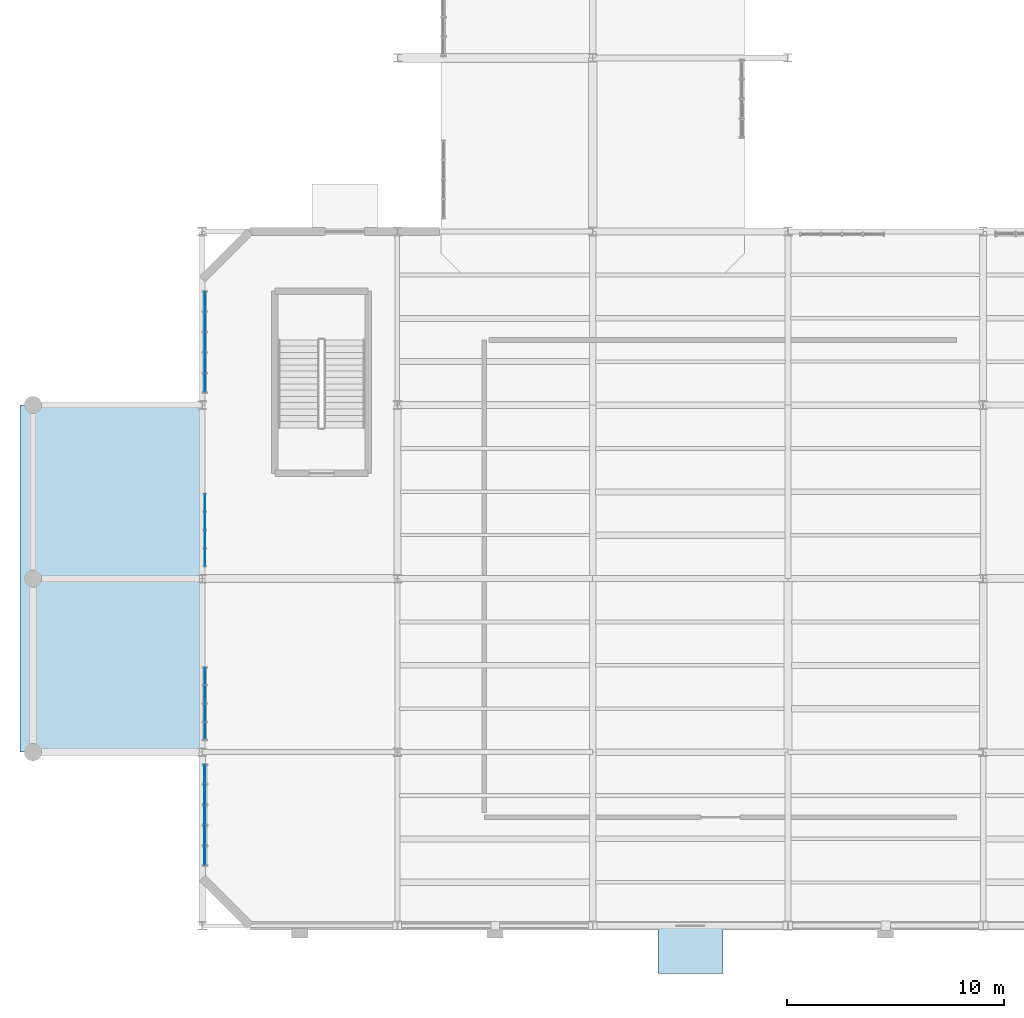
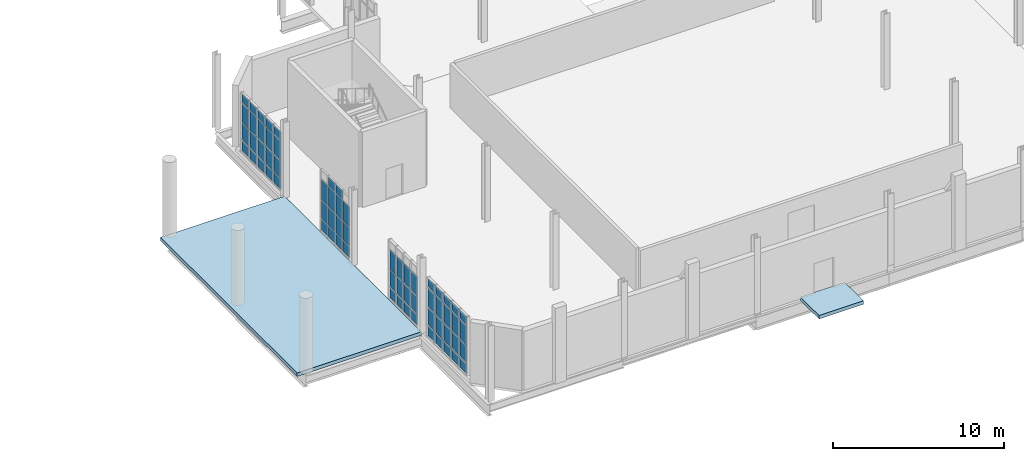
# One storey, part 141 of 189: 66 plates, 2 slabs, 4 elements without a shape of their own.
"""IFC4 building model written with IfcOpenShell, lengths in metres."""

from ifc_helpers import new_model, si_unit, direction, frame, origin, origin_2d, place, context, subcontext, project, spatial, polyline, rectangle, outline, extrude, material, layer, layer_set, type_object, element, aggregate, save


model = new_model("IFC4")

# Units and contexts
model_context = context("Model", 3, precision=1e-05, world=origin(), true_north=direction((0.0, 1.0)))
body_context = subcontext(model_context, "Body", "Model", "MODEL_VIEW")
ifc_project = project(units=[si_unit("LENGTHUNIT", "METRE"), si_unit("AREAUNIT", "SQUARE_METRE"), si_unit("VOLUMEUNIT", "CUBIC_METRE"), si_unit("PLANEANGLEUNIT", "RADIAN"), si_unit("MASSUNIT", "GRAM", prefix="KILO"), si_unit("THERMODYNAMICTEMPERATUREUNIT", "KELVIN"), si_unit("POWERUNIT", "WATT")], contexts=[model_context])

# Site, building, storey
site_placement = place(None, origin())
site = spatial("IfcSite", under=ifc_project, at=site_placement, CompositionType="ELEMENT")
building_placement = place(site_placement, origin())
building = spatial("IfcBuilding", under=site, at=building_placement, Name="Zelmaris Science Centre", CompositionType="ELEMENT")
storey_placement = place(building_placement, origin())
storey = spatial("IfcBuildingStorey", under=building, at=storey_placement, Name="L00", CompositionType="ELEMENT", Elevation=0.0)

# Curtain wall, plates
ifc_material_1 = material(Name="Anodised architectural aluminium 6063-T6", Category="aluminium")
ifc_layer_1 = layer(ifc_material_1, 0.18994140625, Name="Anodised architectural aluminium 6063-T6")
ifc_layer_set_1 = layer_set([ifc_layer_1], Name="Anodised architectural aluminium 6063-T6")
curtain_wall_type_1 = type_object("IfcCurtainWallType", Name="Curtain Wall CW-01", PredefinedType="USERDEFINED", material=ifc_layer_set_1)
curtain_wall_1_placement = place(storey_placement, origin())
curtain_wall_1 = element("IfcCurtainWall", 1, at=curtain_wall_1_placement, inside=storey, type_object=curtain_wall_type_1, Name="L00 Unitised curtain wall 1", ObjectType="GLAZED CURTAIN WALL", PredefinedType="USERDEFINED")
ifc_material_2 = material(Name="Laminated hurricane-rated low-E insulated glazing", Category="glass")
ifc_layer_2 = layer(ifc_material_2, 0.031982421875, Name="Laminated hurricane-rated low-E insulated glazing")
ifc_layer_set_2 = layer_set([ifc_layer_2], Name="Laminated hurricane-rated low-E insulated glazing")
plate_type_1 = type_object("IfcPlateType", Name="Curtain Glazing Panel CWP-1 32mm", PredefinedType="CURTAIN_PANEL", material=ifc_layer_set_2)
plate_1_placement = place(storey_placement, frame((9.1201171875, 11.22998046875, 0.05712890625), z_axis=(0.0, 0.0, 1.0), x_axis=(0.0, 1.0, 0.0)))
plate_1 = element("IfcPlate", 2, at=plate_1_placement, type_object=plate_type_1, Name="CW-01 panel 1.1", PredefinedType="CURTAIN_PANEL", context=body_context, shape_type="SweptSolid", body=[
    extrude(rectangle(XDim=0.8359375, YDim=0.031982421875, at=origin_2d()), origin(), (0.0, 0.0, 1.0), 0.741943359375),
])
plate_2_placement = place(storey_placement, frame((9.1201171875, 11.22998046875, 0.87109375), z_axis=(0.0, 0.0, 1.0), x_axis=(0.0, 1.0, 0.0)))
plate_2 = element("IfcPlate", 3, at=plate_2_placement, type_object=plate_type_1, Name="CW-01 panel 1.2", PredefinedType="CURTAIN_PANEL", context=body_context, shape_type="SweptSolid", body=[
    extrude(rectangle(XDim=0.8359375, YDim=0.031982421875, at=origin_2d()), origin(), (0.0, 0.0, 1.0), 1.202392578125),
])
plate_3_placement = place(storey_placement, frame((9.1201171875, 11.22998046875, 2.1455078125), z_axis=(0.0, 0.0, 1.0), x_axis=(0.0, 1.0, 0.0)))
plate_3 = element("IfcPlate", 4, at=plate_3_placement, type_object=plate_type_1, Name="CW-01 panel 1.3", PredefinedType="CURTAIN_PANEL", context=body_context, shape_type="SweptSolid", body=[
    extrude(rectangle(XDim=0.8359375, YDim=0.031982421875, at=origin_2d()), origin(), (0.0, 0.0, 1.0), 1.3525390625),
])
plate_4_placement = place(storey_placement, frame((9.1201171875, 11.22998046875, 3.56982421875), z_axis=(0.0, 0.0, 1.0), x_axis=(0.0, 1.0, 0.0)))
plate_4 = element("IfcPlate", 5, at=plate_4_placement, type_object=plate_type_1, Name="CW-01 panel 1.4", PredefinedType="CURTAIN_PANEL", context=body_context, shape_type="SweptSolid", body=[
    extrude(rectangle(XDim=0.8359375, YDim=0.031982421875, at=origin_2d()), origin(), (0.0, 0.0, 1.0), 0.592041015625),
])
plate_5_placement = place(storey_placement, frame((9.1201171875, 12.156005859375, 0.05712890625), z_axis=(0.0, 0.0, 1.0), x_axis=(0.0, 1.0, 0.0)))
plate_5 = element("IfcPlate", 6, at=plate_5_placement, type_object=plate_type_1, Name="CW-01 panel 2.1", PredefinedType="CURTAIN_PANEL", context=body_context, shape_type="SweptSolid", body=[
    extrude(rectangle(XDim=0.8720703125, YDim=0.031982421875, at=origin_2d()), origin(), (0.0, 0.0, 1.0), 0.741943359375),
])
plate_6_placement = place(storey_placement, frame((9.1201171875, 12.156005859375, 0.87109375), z_axis=(0.0, 0.0, 1.0), x_axis=(0.0, 1.0, 0.0)))
plate_6 = element("IfcPlate", 7, at=plate_6_placement, type_object=plate_type_1, Name="CW-01 panel 2.2", PredefinedType="CURTAIN_PANEL", context=body_context, shape_type="SweptSolid", body=[
    extrude(rectangle(XDim=0.8720703125, YDim=0.031982421875, at=origin_2d()), origin(), (0.0, 0.0, 1.0), 1.202392578125),
])
plate_7_placement = place(storey_placement, frame((9.1201171875, 12.156005859375, 2.1455078125), z_axis=(0.0, 0.0, 1.0), x_axis=(0.0, 1.0, 0.0)))
plate_7 = element("IfcPlate", 8, at=plate_7_placement, type_object=plate_type_1, Name="CW-01 panel 2.3", PredefinedType="CURTAIN_PANEL", context=body_context, shape_type="SweptSolid", body=[
    extrude(rectangle(XDim=0.8720703125, YDim=0.031982421875, at=origin_2d()), origin(), (0.0, 0.0, 1.0), 1.3525390625),
])
plate_8_placement = place(storey_placement, frame((9.1201171875, 12.156005859375, 3.56982421875), z_axis=(0.0, 0.0, 1.0), x_axis=(0.0, 1.0, 0.0)))
plate_8 = element("IfcPlate", 9, at=plate_8_placement, type_object=plate_type_1, Name="CW-01 panel 2.4", PredefinedType="CURTAIN_PANEL", context=body_context, shape_type="SweptSolid", body=[
    extrude(rectangle(XDim=0.8720703125, YDim=0.031982421875, at=origin_2d()), origin(), (0.0, 0.0, 1.0), 0.592041015625),
])
plate_9_placement = place(storey_placement, frame((9.1201171875, 13.10009765625, 0.05712890625), z_axis=(0.0, 0.0, 1.0), x_axis=(0.0, 1.0, 0.0)))
plate_9 = element("IfcPlate", 10, at=plate_9_placement, type_object=plate_type_1, Name="CW-01 panel 3.1", PredefinedType="CURTAIN_PANEL", context=body_context, shape_type="SweptSolid", body=[
    extrude(rectangle(XDim=0.8720703125, YDim=0.031982421875, at=origin_2d()), origin(), (0.0, 0.0, 1.0), 0.741943359375),
])
plate_10_placement = place(storey_placement, frame((9.1201171875, 13.10009765625, 0.87109375), z_axis=(0.0, 0.0, 1.0), x_axis=(0.0, 1.0, 0.0)))
plate_10 = element("IfcPlate", 11, at=plate_10_placement, type_object=plate_type_1, Name="CW-01 panel 3.2", PredefinedType="CURTAIN_PANEL", context=body_context, shape_type="SweptSolid", body=[
    extrude(rectangle(XDim=0.8720703125, YDim=0.031982421875, at=origin_2d()), origin(), (0.0, 0.0, 1.0), 1.202392578125),
])
plate_11_placement = place(storey_placement, frame((9.1201171875, 13.10009765625, 2.1455078125), z_axis=(0.0, 0.0, 1.0), x_axis=(0.0, 1.0, 0.0)))
plate_11 = element("IfcPlate", 12, at=plate_11_placement, type_object=plate_type_1, Name="CW-01 panel 3.3", PredefinedType="CURTAIN_PANEL", context=body_context, shape_type="SweptSolid", body=[
    extrude(rectangle(XDim=0.8720703125, YDim=0.031982421875, at=origin_2d()), origin(), (0.0, 0.0, 1.0), 1.3525390625),
])
plate_12_placement = place(storey_placement, frame((9.1201171875, 13.10009765625, 3.56982421875), z_axis=(0.0, 0.0, 1.0), x_axis=(0.0, 1.0, 0.0)))
plate_12 = element("IfcPlate", 13, at=plate_12_placement, type_object=plate_type_1, Name="CW-01 panel 3.4", PredefinedType="CURTAIN_PANEL", context=body_context, shape_type="SweptSolid", body=[
    extrude(rectangle(XDim=0.8720703125, YDim=0.031982421875, at=origin_2d()), origin(), (0.0, 0.0, 1.0), 0.592041015625),
])
plate_13_placement = place(storey_placement, frame((9.1201171875, 14.0439453125, 0.05712890625), z_axis=(0.0, 0.0, 1.0), x_axis=(0.0, 1.0, 0.0)))
plate_13 = element("IfcPlate", 14, at=plate_13_placement, type_object=plate_type_1, Name="CW-01 panel 4.1", PredefinedType="CURTAIN_PANEL", context=body_context, shape_type="SweptSolid", body=[
    extrude(rectangle(XDim=0.8720703125, YDim=0.031982421875, at=origin_2d()), origin(), (0.0, 0.0, 1.0), 0.741943359375),
])
plate_14_placement = place(storey_placement, frame((9.1201171875, 14.0439453125, 0.87109375), z_axis=(0.0, 0.0, 1.0), x_axis=(0.0, 1.0, 0.0)))
plate_14 = element("IfcPlate", 15, at=plate_14_placement, type_object=plate_type_1, Name="CW-01 panel 4.2", PredefinedType="CURTAIN_PANEL", context=body_context, shape_type="SweptSolid", body=[
    extrude(rectangle(XDim=0.8720703125, YDim=0.031982421875, at=origin_2d()), origin(), (0.0, 0.0, 1.0), 1.202392578125),
])
plate_15_placement = place(storey_placement, frame((9.1201171875, 14.0439453125, 2.1455078125), z_axis=(0.0, 0.0, 1.0), x_axis=(0.0, 1.0, 0.0)))
plate_15 = element("IfcPlate", 16, at=plate_15_placement, type_object=plate_type_1, Name="CW-01 panel 4.3", PredefinedType="CURTAIN_PANEL", context=body_context, shape_type="SweptSolid", body=[
    extrude(rectangle(XDim=0.8720703125, YDim=0.031982421875, at=origin_2d()), origin(), (0.0, 0.0, 1.0), 1.3525390625),
])
plate_16_placement = place(storey_placement, frame((9.1201171875, 14.0439453125, 3.56982421875), z_axis=(0.0, 0.0, 1.0), x_axis=(0.0, 1.0, 0.0)))
plate_16 = element("IfcPlate", 17, at=plate_16_placement, type_object=plate_type_1, Name="CW-01 panel 4.4", PredefinedType="CURTAIN_PANEL", context=body_context, shape_type="SweptSolid", body=[
    extrude(rectangle(XDim=0.8720703125, YDim=0.031982421875, at=origin_2d()), origin(), (0.0, 0.0, 1.0), 0.592041015625),
])
plate_17_placement = place(storey_placement, frame((9.1201171875, 14.969970703125, 0.05712890625), z_axis=(0.0, 0.0, 1.0), x_axis=(0.0, 1.0, 0.0)))
plate_17 = element("IfcPlate", 18, at=plate_17_placement, type_object=plate_type_1, Name="CW-01 panel 5.1", PredefinedType="CURTAIN_PANEL", context=body_context, shape_type="SweptSolid", body=[
    extrude(rectangle(XDim=0.8359375, YDim=0.031982421875, at=origin_2d()), origin(), (0.0, 0.0, 1.0), 0.741943359375),
])
plate_18_placement = place(storey_placement, frame((9.1201171875, 14.969970703125, 0.87109375), z_axis=(0.0, 0.0, 1.0), x_axis=(0.0, 1.0, 0.0)))
plate_18 = element("IfcPlate", 19, at=plate_18_placement, type_object=plate_type_1, Name="CW-01 panel 5.2", PredefinedType="CURTAIN_PANEL", context=body_context, shape_type="SweptSolid", body=[
    extrude(rectangle(XDim=0.8359375, YDim=0.031982421875, at=origin_2d()), origin(), (0.0, 0.0, 1.0), 1.202392578125),
])
plate_19_placement = place(storey_placement, frame((9.1201171875, 14.969970703125, 2.1455078125), z_axis=(0.0, 0.0, 1.0), x_axis=(0.0, 1.0, 0.0)))
plate_19 = element("IfcPlate", 20, at=plate_19_placement, type_object=plate_type_1, Name="CW-01 panel 5.3", PredefinedType="CURTAIN_PANEL", context=body_context, shape_type="SweptSolid", body=[
    extrude(rectangle(XDim=0.8359375, YDim=0.031982421875, at=origin_2d()), origin(), (0.0, 0.0, 1.0), 1.3525390625),
])
plate_20_placement = place(storey_placement, frame((9.1201171875, 14.969970703125, 3.56982421875), z_axis=(0.0, 0.0, 1.0), x_axis=(0.0, 1.0, 0.0)))
plate_20 = element("IfcPlate", 21, at=plate_20_placement, type_object=plate_type_1, Name="CW-01 panel 5.4", PredefinedType="CURTAIN_PANEL", context=body_context, shape_type="SweptSolid", body=[
    extrude(rectangle(XDim=0.8359375, YDim=0.031982421875, at=origin_2d()), origin(), (0.0, 0.0, 1.0), 0.592041015625),
])
aggregate(curtain_wall_1, [plate_1, plate_2, plate_3, plate_4, plate_5, plate_6, plate_7, plate_8, plate_9, plate_10, plate_11, plate_12, plate_13, plate_14, plate_15, plate_16, plate_17, plate_18, plate_19, plate_20])

ifc_layer_3 = layer(ifc_material_1, 0.199951171875, Name="Anodised architectural aluminium 6063-T6")
ifc_layer_set_3 = layer_set([ifc_layer_3], Name="Anodised architectural aluminium 6063-T6")
curtain_wall_type_2 = type_object("IfcCurtainWallType", Name="Curtain Wall CW-02", PredefinedType="USERDEFINED", material=ifc_layer_set_3)
curtain_wall_2_placement = place(storey_placement, origin())
curtain_wall_2 = element("IfcCurtainWall", 22, at=curtain_wall_2_placement, inside=storey, type_object=curtain_wall_type_2, Name="L00 Unitised curtain wall 2", ObjectType="GLAZED CURTAIN WALL", PredefinedType="USERDEFINED")
ifc_layer_4 = layer(ifc_material_2, 0.028076171875, Name="Laminated hurricane-rated low-E insulated glazing")
ifc_layer_set_4 = layer_set([ifc_layer_4], Name="Laminated hurricane-rated low-E insulated glazing")
plate_type_2 = type_object("IfcPlateType", Name="Curtain Glazing Panel CWP-2 28mm", PredefinedType="CURTAIN_PANEL", material=ifc_layer_set_4)
plate_21_placement = place(storey_placement, frame((9.1201171875, 16.981689453125, 0.052001953125), z_axis=(0.0, 0.0, 1.0), x_axis=(0.0, 1.0, 0.0)))
plate_21 = element("IfcPlate", 23, at=plate_21_placement, type_object=plate_type_2, Name="CW-02 panel 1.1", PredefinedType="CURTAIN_PANEL", context=body_context, shape_type="SweptSolid", body=[
    extrude(rectangle(XDim=0.74951171875, YDim=0.028076171875, at=origin_2d()), origin(), (0.0, 0.0, 1.0), 0.74951171875),
])
plate_22_placement = place(storey_placement, frame((9.1201171875, 16.981689453125, 0.868408203125), z_axis=(0.0, 0.0, 1.0), x_axis=(0.0, 1.0, 0.0)))
plate_22 = element("IfcPlate", 24, at=plate_22_placement, type_object=plate_type_2, Name="CW-02 panel 1.2", PredefinedType="CURTAIN_PANEL", context=body_context, shape_type="SweptSolid", body=[
    extrude(rectangle(XDim=0.74951171875, YDim=0.028076171875, at=origin_2d()), origin(), (0.0, 0.0, 1.0), 1.20751953125),
])
plate_23_placement = place(storey_placement, frame((9.1201171875, 16.981689453125, 2.14306640625), z_axis=(0.0, 0.0, 1.0), x_axis=(0.0, 1.0, 0.0)))
plate_23 = element("IfcPlate", 25, at=plate_23_placement, type_object=plate_type_2, Name="CW-02 panel 1.3", PredefinedType="CURTAIN_PANEL", context=body_context, shape_type="SweptSolid", body=[
    extrude(rectangle(XDim=0.74951171875, YDim=0.028076171875, at=origin_2d()), origin(), (0.0, 0.0, 1.0), 1.357421875),
])
plate_24_placement = place(storey_placement, frame((9.1201171875, 17.81494140625, 0.052001953125), z_axis=(0.0, 0.0, 1.0), x_axis=(0.0, 1.0, 0.0)))
plate_24 = element("IfcPlate", 26, at=plate_24_placement, type_object=plate_type_2, Name="CW-02 panel 2.1", PredefinedType="CURTAIN_PANEL", context=body_context, shape_type="SweptSolid", body=[
    extrude(rectangle(XDim=0.782958984375, YDim=0.028076171875, at=origin_2d()), origin(), (0.0, 0.0, 1.0), 0.74951171875),
])
plate_25_placement = place(storey_placement, frame((9.1201171875, 17.81494140625, 0.868408203125), z_axis=(0.0, 0.0, 1.0), x_axis=(0.0, 1.0, 0.0)))
plate_25 = element("IfcPlate", 27, at=plate_25_placement, type_object=plate_type_2, Name="CW-02 panel 2.2", PredefinedType="CURTAIN_PANEL", context=body_context, shape_type="SweptSolid", body=[
    extrude(rectangle(XDim=0.782958984375, YDim=0.028076171875, at=origin_2d()), origin(), (0.0, 0.0, 1.0), 1.20751953125),
])
plate_26_placement = place(storey_placement, frame((9.1201171875, 17.81494140625, 2.14306640625), z_axis=(0.0, 0.0, 1.0), x_axis=(0.0, 1.0, 0.0)))
plate_26 = element("IfcPlate", 28, at=plate_26_placement, type_object=plate_type_2, Name="CW-02 panel 2.3", PredefinedType="CURTAIN_PANEL", context=body_context, shape_type="SweptSolid", body=[
    extrude(rectangle(XDim=0.782958984375, YDim=0.028076171875, at=origin_2d()), origin(), (0.0, 0.0, 1.0), 1.357421875),
])
plate_27_placement = place(storey_placement, frame((9.1201171875, 18.6650390625, 0.052001953125), z_axis=(0.0, 0.0, 1.0), x_axis=(0.0, 1.0, 0.0)))
plate_27 = element("IfcPlate", 29, at=plate_27_placement, type_object=plate_type_2, Name="CW-02 panel 3.1", PredefinedType="CURTAIN_PANEL", context=body_context, shape_type="SweptSolid", body=[
    extrude(rectangle(XDim=0.782958984375, YDim=0.028076171875, at=origin_2d()), origin(), (0.0, 0.0, 1.0), 0.74951171875),
])
plate_28_placement = place(storey_placement, frame((9.1201171875, 18.6650390625, 0.868408203125), z_axis=(0.0, 0.0, 1.0), x_axis=(0.0, 1.0, 0.0)))
plate_28 = element("IfcPlate", 30, at=plate_28_placement, type_object=plate_type_2, Name="CW-02 panel 3.2", PredefinedType="CURTAIN_PANEL", context=body_context, shape_type="SweptSolid", body=[
    extrude(rectangle(XDim=0.782958984375, YDim=0.028076171875, at=origin_2d()), origin(), (0.0, 0.0, 1.0), 1.20751953125),
])
plate_29_placement = place(storey_placement, frame((9.1201171875, 18.6650390625, 2.14306640625), z_axis=(0.0, 0.0, 1.0), x_axis=(0.0, 1.0, 0.0)))
plate_29 = element("IfcPlate", 31, at=plate_29_placement, type_object=plate_type_2, Name="CW-02 panel 3.3", PredefinedType="CURTAIN_PANEL", context=body_context, shape_type="SweptSolid", body=[
    extrude(rectangle(XDim=0.782958984375, YDim=0.028076171875, at=origin_2d()), origin(), (0.0, 0.0, 1.0), 1.357421875),
])
plate_30_placement = place(storey_placement, frame((9.1201171875, 19.498291015625, 0.052001953125), z_axis=(0.0, 0.0, 1.0), x_axis=(0.0, 1.0, 0.0)))
plate_30 = element("IfcPlate", 32, at=plate_30_placement, type_object=plate_type_2, Name="CW-02 panel 4.1", PredefinedType="CURTAIN_PANEL", context=body_context, shape_type="SweptSolid", body=[
    extrude(rectangle(XDim=0.74951171875, YDim=0.028076171875, at=origin_2d()), origin(), (0.0, 0.0, 1.0), 0.74951171875),
])
plate_31_placement = place(storey_placement, frame((9.1201171875, 19.498291015625, 0.868408203125), z_axis=(0.0, 0.0, 1.0), x_axis=(0.0, 1.0, 0.0)))
plate_31 = element("IfcPlate", 33, at=plate_31_placement, type_object=plate_type_2, Name="CW-02 panel 4.2", PredefinedType="CURTAIN_PANEL", context=body_context, shape_type="SweptSolid", body=[
    extrude(rectangle(XDim=0.74951171875, YDim=0.028076171875, at=origin_2d()), origin(), (0.0, 0.0, 1.0), 1.20751953125),
])
plate_32_placement = place(storey_placement, frame((9.1201171875, 19.498291015625, 2.14306640625), z_axis=(0.0, 0.0, 1.0), x_axis=(0.0, 1.0, 0.0)))
plate_32 = element("IfcPlate", 34, at=plate_32_placement, type_object=plate_type_2, Name="CW-02 panel 4.3", PredefinedType="CURTAIN_PANEL", context=body_context, shape_type="SweptSolid", body=[
    extrude(rectangle(XDim=0.74951171875, YDim=0.028076171875, at=origin_2d()), origin(), (0.0, 0.0, 1.0), 1.357421875),
])
aggregate(curtain_wall_2, [plate_21, plate_22, plate_23, plate_24, plate_25, plate_26, plate_27, plate_28, plate_29, plate_30, plate_31, plate_32])

curtain_wall_3_placement = place(storey_placement, origin())
curtain_wall_3 = element("IfcCurtainWall", 35, at=curtain_wall_3_placement, inside=storey, type_object=curtain_wall_type_2, Name="L00 Unitised curtain wall 6", ObjectType="GLAZED CURTAIN WALL", PredefinedType="USERDEFINED")
plate_33_placement = place(storey_placement, frame((9.1201171875, 33.02880859375, 0.052001953125), z_axis=(0.0, 0.0, 1.0), x_axis=(0.0, 1.0, 0.0)))
plate_33 = element("IfcPlate", 36, at=plate_33_placement, type_object=plate_type_2, Name="CW-02 panel 1.1", PredefinedType="CURTAIN_PANEL", context=body_context, shape_type="SweptSolid", body=[
    extrude(rectangle(XDim=0.843505859375, YDim=0.028076171875, at=origin_2d()), origin(), (0.0, 0.0, 1.0), 0.74951171875),
])
plate_34_placement = place(storey_placement, frame((9.1201171875, 33.02880859375, 0.868408203125), z_axis=(0.0, 0.0, 1.0), x_axis=(0.0, 1.0, 0.0)))
plate_34 = element("IfcPlate", 37, at=plate_34_placement, type_object=plate_type_2, Name="CW-02 panel 1.2", PredefinedType="CURTAIN_PANEL", context=body_context, shape_type="SweptSolid", body=[
    extrude(rectangle(XDim=0.843505859375, YDim=0.028076171875, at=origin_2d()), origin(), (0.0, 0.0, 1.0), 1.20361328125),
])
plate_35_placement = place(storey_placement, frame((9.1201171875, 33.02880859375, 2.138916015625), z_axis=(0.0, 0.0, 1.0), x_axis=(0.0, 1.0, 0.0)))
plate_35 = element("IfcPlate", 38, at=plate_35_placement, type_object=plate_type_2, Name="CW-02 panel 1.3", PredefinedType="CURTAIN_PANEL", context=body_context, shape_type="SweptSolid", body=[
    extrude(rectangle(XDim=0.843505859375, YDim=0.028076171875, at=origin_2d()), origin(), (0.0, 0.0, 1.0), 1.353515625),
])
plate_36_placement = place(storey_placement, frame((9.1201171875, 33.02880859375, 3.559326171875), z_axis=(0.0, 0.0, 1.0), x_axis=(0.0, 1.0, 0.0)))
plate_36 = element("IfcPlate", 39, at=plate_36_placement, type_object=plate_type_2, Name="CW-02 panel 1.4", PredefinedType="CURTAIN_PANEL", context=body_context, shape_type="SweptSolid", body=[
    extrude(rectangle(XDim=0.843505859375, YDim=0.028076171875, at=origin_2d()), origin(), (0.0, 0.0, 1.0), 0.599609375),
])
plate_37_placement = place(storey_placement, frame((9.1201171875, 33.9560546875, 0.052001953125), z_axis=(0.0, 0.0, 1.0), x_axis=(0.0, 1.0, 0.0)))
plate_37 = element("IfcPlate", 40, at=plate_37_placement, type_object=plate_type_2, Name="CW-02 panel 2.1", PredefinedType="CURTAIN_PANEL", context=body_context, shape_type="SweptSolid", body=[
    extrude(rectangle(XDim=0.876953125, YDim=0.028076171875, at=origin_2d()), origin(), (0.0, 0.0, 1.0), 0.74951171875),
])
plate_38_placement = place(storey_placement, frame((9.1201171875, 33.9560546875, 0.868408203125), z_axis=(0.0, 0.0, 1.0), x_axis=(0.0, 1.0, 0.0)))
plate_38 = element("IfcPlate", 41, at=plate_38_placement, type_object=plate_type_2, Name="CW-02 panel 2.2", PredefinedType="CURTAIN_PANEL", context=body_context, shape_type="SweptSolid", body=[
    extrude(rectangle(XDim=0.876953125, YDim=0.028076171875, at=origin_2d()), origin(), (0.0, 0.0, 1.0), 1.20361328125),
])
plate_39_placement = place(storey_placement, frame((9.1201171875, 33.9560546875, 2.138916015625), z_axis=(0.0, 0.0, 1.0), x_axis=(0.0, 1.0, 0.0)))
plate_39 = element("IfcPlate", 42, at=plate_39_placement, type_object=plate_type_2, Name="CW-02 panel 2.3", PredefinedType="CURTAIN_PANEL", context=body_context, shape_type="SweptSolid", body=[
    extrude(rectangle(XDim=0.876953125, YDim=0.028076171875, at=origin_2d()), origin(), (0.0, 0.0, 1.0), 1.353515625),
])
plate_40_placement = place(storey_placement, frame((9.1201171875, 33.9560546875, 3.559326171875), z_axis=(0.0, 0.0, 1.0), x_axis=(0.0, 1.0, 0.0)))
plate_40 = element("IfcPlate", 43, at=plate_40_placement, type_object=plate_type_2, Name="CW-02 panel 2.4", PredefinedType="CURTAIN_PANEL", context=body_context, shape_type="SweptSolid", body=[
    extrude(rectangle(XDim=0.876953125, YDim=0.028076171875, at=origin_2d()), origin(), (0.0, 0.0, 1.0), 0.599609375),
])
plate_41_placement = place(storey_placement, frame((9.1201171875, 34.89990234375, 0.052001953125), z_axis=(0.0, 0.0, 1.0), x_axis=(0.0, 1.0, 0.0)))
plate_41 = element("IfcPlate", 44, at=plate_41_placement, type_object=plate_type_2, Name="CW-02 panel 3.1", PredefinedType="CURTAIN_PANEL", context=body_context, shape_type="SweptSolid", body=[
    extrude(rectangle(XDim=0.876953125, YDim=0.028076171875, at=origin_2d()), origin(), (0.0, 0.0, 1.0), 0.74951171875),
])
plate_42_placement = place(storey_placement, frame((9.1201171875, 34.89990234375, 0.868408203125), z_axis=(0.0, 0.0, 1.0), x_axis=(0.0, 1.0, 0.0)))
plate_42 = element("IfcPlate", 45, at=plate_42_placement, type_object=plate_type_2, Name="CW-02 panel 3.2", PredefinedType="CURTAIN_PANEL", context=body_context, shape_type="SweptSolid", body=[
    extrude(rectangle(XDim=0.876953125, YDim=0.028076171875, at=origin_2d()), origin(), (0.0, 0.0, 1.0), 1.20361328125),
])
plate_43_placement = place(storey_placement, frame((9.1201171875, 34.89990234375, 2.138916015625), z_axis=(0.0, 0.0, 1.0), x_axis=(0.0, 1.0, 0.0)))
plate_43 = element("IfcPlate", 46, at=plate_43_placement, type_object=plate_type_2, Name="CW-02 panel 3.3", PredefinedType="CURTAIN_PANEL", context=body_context, shape_type="SweptSolid", body=[
    extrude(rectangle(XDim=0.876953125, YDim=0.028076171875, at=origin_2d()), origin(), (0.0, 0.0, 1.0), 1.353515625),
])
plate_44_placement = place(storey_placement, frame((9.1201171875, 34.89990234375, 3.559326171875), z_axis=(0.0, 0.0, 1.0), x_axis=(0.0, 1.0, 0.0)))
plate_44 = element("IfcPlate", 47, at=plate_44_placement, type_object=plate_type_2, Name="CW-02 panel 3.4", PredefinedType="CURTAIN_PANEL", context=body_context, shape_type="SweptSolid", body=[
    extrude(rectangle(XDim=0.876953125, YDim=0.028076171875, at=origin_2d()), origin(), (0.0, 0.0, 1.0), 0.599609375),
])
plate_45_placement = place(storey_placement, frame((9.1201171875, 35.843994140625, 0.052001953125), z_axis=(0.0, 0.0, 1.0), x_axis=(0.0, 1.0, 0.0)))
plate_45 = element("IfcPlate", 48, at=plate_45_placement, type_object=plate_type_2, Name="CW-02 panel 4.1", PredefinedType="CURTAIN_PANEL", context=body_context, shape_type="SweptSolid", body=[
    extrude(rectangle(XDim=0.876953125, YDim=0.028076171875, at=origin_2d()), origin(), (0.0, 0.0, 1.0), 0.74951171875),
])
plate_46_placement = place(storey_placement, frame((9.1201171875, 35.843994140625, 0.868408203125), z_axis=(0.0, 0.0, 1.0), x_axis=(0.0, 1.0, 0.0)))
plate_46 = element("IfcPlate", 49, at=plate_46_placement, type_object=plate_type_2, Name="CW-02 panel 4.2", PredefinedType="CURTAIN_PANEL", context=body_context, shape_type="SweptSolid", body=[
    extrude(rectangle(XDim=0.876953125, YDim=0.028076171875, at=origin_2d()), origin(), (0.0, 0.0, 1.0), 1.20361328125),
])
plate_47_placement = place(storey_placement, frame((9.1201171875, 35.843994140625, 2.138916015625), z_axis=(0.0, 0.0, 1.0), x_axis=(0.0, 1.0, 0.0)))
plate_47 = element("IfcPlate", 50, at=plate_47_placement, type_object=plate_type_2, Name="CW-02 panel 4.3", PredefinedType="CURTAIN_PANEL", context=body_context, shape_type="SweptSolid", body=[
    extrude(rectangle(XDim=0.876953125, YDim=0.028076171875, at=origin_2d()), origin(), (0.0, 0.0, 1.0), 1.353515625),
])
plate_48_placement = place(storey_placement, frame((9.1201171875, 35.843994140625, 3.559326171875), z_axis=(0.0, 0.0, 1.0), x_axis=(0.0, 1.0, 0.0)))
plate_48 = element("IfcPlate", 51, at=plate_48_placement, type_object=plate_type_2, Name="CW-02 panel 4.4", PredefinedType="CURTAIN_PANEL", context=body_context, shape_type="SweptSolid", body=[
    extrude(rectangle(XDim=0.876953125, YDim=0.028076171875, at=origin_2d()), origin(), (0.0, 0.0, 1.0), 0.599609375),
])
plate_49_placement = place(storey_placement, frame((9.1201171875, 36.771240234375, 0.052001953125), z_axis=(0.0, 0.0, 1.0), x_axis=(0.0, 1.0, 0.0)))
plate_49 = element("IfcPlate", 52, at=plate_49_placement, type_object=plate_type_2, Name="CW-02 panel 5.1", PredefinedType="CURTAIN_PANEL", context=body_context, shape_type="SweptSolid", body=[
    extrude(rectangle(XDim=0.843505859375, YDim=0.028076171875, at=origin_2d()), origin(), (0.0, 0.0, 1.0), 0.74951171875),
])
plate_50_placement = place(storey_placement, frame((9.1201171875, 36.771240234375, 0.868408203125), z_axis=(0.0, 0.0, 1.0), x_axis=(0.0, 1.0, 0.0)))
plate_50 = element("IfcPlate", 53, at=plate_50_placement, type_object=plate_type_2, Name="CW-02 panel 5.2", PredefinedType="CURTAIN_PANEL", context=body_context, shape_type="SweptSolid", body=[
    extrude(rectangle(XDim=0.843505859375, YDim=0.028076171875, at=origin_2d()), origin(), (0.0, 0.0, 1.0), 1.20361328125),
])
plate_51_placement = place(storey_placement, frame((9.1201171875, 36.771240234375, 2.138916015625), z_axis=(0.0, 0.0, 1.0), x_axis=(0.0, 1.0, 0.0)))
plate_51 = element("IfcPlate", 54, at=plate_51_placement, type_object=plate_type_2, Name="CW-02 panel 5.3", PredefinedType="CURTAIN_PANEL", context=body_context, shape_type="SweptSolid", body=[
    extrude(rectangle(XDim=0.843505859375, YDim=0.028076171875, at=origin_2d()), origin(), (0.0, 0.0, 1.0), 1.353515625),
])
plate_52_placement = place(storey_placement, frame((9.1201171875, 36.771240234375, 3.559326171875), z_axis=(0.0, 0.0, 1.0), x_axis=(0.0, 1.0, 0.0)))
plate_52 = element("IfcPlate", 55, at=plate_52_placement, type_object=plate_type_2, Name="CW-02 panel 5.4", PredefinedType="CURTAIN_PANEL", context=body_context, shape_type="SweptSolid", body=[
    extrude(rectangle(XDim=0.843505859375, YDim=0.028076171875, at=origin_2d()), origin(), (0.0, 0.0, 1.0), 0.599609375),
])
aggregate(curtain_wall_3, [plate_33, plate_34, plate_35, plate_36, plate_37, plate_38, plate_39, plate_40, plate_41, plate_42, plate_43, plate_44, plate_45, plate_46, plate_47, plate_48, plate_49, plate_50, plate_51, plate_52])

ifc_layer_5 = layer(ifc_material_1, 0.219970703125, Name="Anodised architectural aluminium 6063-T6")
ifc_layer_set_5 = layer_set([ifc_layer_5], Name="Anodised architectural aluminium 6063-T6")
curtain_wall_type_3 = type_object("IfcCurtainWallType", Name="Curtain Wall CW-04", PredefinedType="USERDEFINED", material=ifc_layer_set_5)
curtain_wall_4_placement = place(storey_placement, origin())
curtain_wall_4 = element("IfcCurtainWall", 56, at=curtain_wall_4_placement, inside=storey, type_object=curtain_wall_type_3, Name="L00 Unitised curtain wall 4", ObjectType="GLAZED CURTAIN WALL", PredefinedType="USERDEFINED")
ifc_layer_6 = layer(ifc_material_2, 0.02392578125, Name="Laminated hurricane-rated low-E insulated glazing")
ifc_layer_set_6 = layer_set([ifc_layer_6], Name="Laminated hurricane-rated low-E insulated glazing")
plate_type_3 = type_object("IfcPlateType", Name="Curtain Glazing Panel CWP-4 24mm", PredefinedType="CURTAIN_PANEL", material=ifc_layer_set_6)
plate_53_placement = place(storey_placement, frame((9.1201171875, 24.97802734375, 0.037109375), z_axis=(0.0, 0.0, 1.0), x_axis=(0.0, 1.0, 0.0)))
plate_53 = element("IfcPlate", 57, at=plate_53_placement, type_object=plate_type_3, Name="CW-04 panel 1.1", PredefinedType="CURTAIN_PANEL", context=body_context, shape_type="SweptSolid", body=[
    extrude(rectangle(XDim=0.77197265625, YDim=0.02392578125, at=origin_2d()), origin(), (0.0, 0.0, 1.0), 0.77197265625),
])
plate_54_placement = place(storey_placement, frame((9.1201171875, 24.97802734375, 0.86083984375), z_axis=(0.0, 0.0, 1.0), x_axis=(0.0, 1.0, 0.0)))
plate_54 = element("IfcPlate", 58, at=plate_54_placement, type_object=plate_type_3, Name="CW-04 panel 1.2", PredefinedType="CURTAIN_PANEL", context=body_context, shape_type="SweptSolid", body=[
    extrude(rectangle(XDim=0.77197265625, YDim=0.02392578125, at=origin_2d()), origin(), (0.0, 0.0, 1.0), 1.301513671875),
])
plate_55_placement = place(storey_placement, frame((9.1201171875, 24.97802734375, 2.21435546875), z_axis=(0.0, 0.0, 1.0), x_axis=(0.0, 1.0, 0.0)))
plate_55 = element("IfcPlate", 59, at=plate_55_placement, type_object=plate_type_3, Name="CW-04 panel 1.3", PredefinedType="CURTAIN_PANEL", context=body_context, shape_type="SweptSolid", body=[
    extrude(rectangle(XDim=0.77197265625, YDim=0.02392578125, at=origin_2d()), origin(), (0.0, 0.0, 1.0), 1.451416015625),
])
plate_56_placement = place(storey_placement, frame((9.1201171875, 25.81494140625, 0.037109375), z_axis=(0.0, 0.0, 1.0), x_axis=(0.0, 1.0, 0.0)))
plate_56 = element("IfcPlate", 60, at=plate_56_placement, type_object=plate_type_3, Name="CW-04 panel 2.1", PredefinedType="CURTAIN_PANEL", context=body_context, shape_type="SweptSolid", body=[
    extrude(rectangle(XDim=0.798095703125, YDim=0.02392578125, at=origin_2d()), origin(), (0.0, 0.0, 1.0), 0.77197265625),
])
plate_57_placement = place(storey_placement, frame((9.1201171875, 25.81494140625, 0.86083984375), z_axis=(0.0, 0.0, 1.0), x_axis=(0.0, 1.0, 0.0)))
plate_57 = element("IfcPlate", 61, at=plate_57_placement, type_object=plate_type_3, Name="CW-04 panel 2.2", PredefinedType="CURTAIN_PANEL", context=body_context, shape_type="SweptSolid", body=[
    extrude(rectangle(XDim=0.798095703125, YDim=0.02392578125, at=origin_2d()), origin(), (0.0, 0.0, 1.0), 1.301513671875),
])
plate_58_placement = place(storey_placement, frame((9.1201171875, 25.81494140625, 2.21435546875), z_axis=(0.0, 0.0, 1.0), x_axis=(0.0, 1.0, 0.0)))
plate_58 = element("IfcPlate", 62, at=plate_58_placement, type_object=plate_type_3, Name="CW-04 panel 2.3", PredefinedType="CURTAIN_PANEL", context=body_context, shape_type="SweptSolid", body=[
    extrude(rectangle(XDim=0.798095703125, YDim=0.02392578125, at=origin_2d()), origin(), (0.0, 0.0, 1.0), 1.451416015625),
])
plate_59_placement = place(storey_placement, frame((9.1201171875, 25.81494140625, 3.718017578125), z_axis=(0.0, 0.0, 1.0), x_axis=(0.0, 1.0, 0.0)))
plate_59 = element("IfcPlate", 63, at=plate_59_placement, type_object=plate_type_3, Name="CW-04 panel 2.4", PredefinedType="CURTAIN_PANEL", context=body_context, shape_type="SweptSolid", body=[
    extrude(rectangle(XDim=0.798095703125, YDim=0.02392578125, at=origin_2d()), origin(), (0.0, 0.0, 1.0), 0.6220703125),
])
plate_60_placement = place(storey_placement, frame((9.1201171875, 26.6650390625, 0.037109375), z_axis=(0.0, 0.0, 1.0), x_axis=(0.0, 1.0, 0.0)))
plate_60 = element("IfcPlate", 64, at=plate_60_placement, type_object=plate_type_3, Name="CW-04 panel 3.1", PredefinedType="CURTAIN_PANEL", context=body_context, shape_type="SweptSolid", body=[
    extrude(rectangle(XDim=0.798095703125, YDim=0.02392578125, at=origin_2d()), origin(), (0.0, 0.0, 1.0), 0.77197265625),
])
plate_61_placement = place(storey_placement, frame((9.1201171875, 26.6650390625, 0.86083984375), z_axis=(0.0, 0.0, 1.0), x_axis=(0.0, 1.0, 0.0)))
plate_61 = element("IfcPlate", 65, at=plate_61_placement, type_object=plate_type_3, Name="CW-04 panel 3.2", PredefinedType="CURTAIN_PANEL", context=body_context, shape_type="SweptSolid", body=[
    extrude(rectangle(XDim=0.798095703125, YDim=0.02392578125, at=origin_2d()), origin(), (0.0, 0.0, 1.0), 1.301513671875),
])
plate_62_placement = place(storey_placement, frame((9.1201171875, 26.6650390625, 2.21435546875), z_axis=(0.0, 0.0, 1.0), x_axis=(0.0, 1.0, 0.0)))
plate_62 = element("IfcPlate", 66, at=plate_62_placement, type_object=plate_type_3, Name="CW-04 panel 3.3", PredefinedType="CURTAIN_PANEL", context=body_context, shape_type="SweptSolid", body=[
    extrude(rectangle(XDim=0.798095703125, YDim=0.02392578125, at=origin_2d()), origin(), (0.0, 0.0, 1.0), 1.451416015625),
])
plate_63_placement = place(storey_placement, frame((9.1201171875, 26.6650390625, 3.718017578125), z_axis=(0.0, 0.0, 1.0), x_axis=(0.0, 1.0, 0.0)))
plate_63 = element("IfcPlate", 67, at=plate_63_placement, type_object=plate_type_3, Name="CW-04 panel 3.4", PredefinedType="CURTAIN_PANEL", context=body_context, shape_type="SweptSolid", body=[
    extrude(rectangle(XDim=0.798095703125, YDim=0.02392578125, at=origin_2d()), origin(), (0.0, 0.0, 1.0), 0.6220703125),
])
plate_64_placement = place(storey_placement, frame((9.1201171875, 27.501953125, 0.037109375), z_axis=(0.0, 0.0, 1.0), x_axis=(0.0, 1.0, 0.0)))
plate_64 = element("IfcPlate", 68, at=plate_64_placement, type_object=plate_type_3, Name="CW-04 panel 4.1", PredefinedType="CURTAIN_PANEL", context=body_context, shape_type="SweptSolid", body=[
    extrude(rectangle(XDim=0.77197265625, YDim=0.02392578125, at=origin_2d()), origin(), (0.0, 0.0, 1.0), 0.77197265625),
])
plate_65_placement = place(storey_placement, frame((9.1201171875, 27.501953125, 0.86083984375), z_axis=(0.0, 0.0, 1.0), x_axis=(0.0, 1.0, 0.0)))
plate_65 = element("IfcPlate", 69, at=plate_65_placement, type_object=plate_type_3, Name="CW-04 panel 4.2", PredefinedType="CURTAIN_PANEL", context=body_context, shape_type="SweptSolid", body=[
    extrude(rectangle(XDim=0.77197265625, YDim=0.02392578125, at=origin_2d()), origin(), (0.0, 0.0, 1.0), 1.301513671875),
])
plate_66_placement = place(storey_placement, frame((9.1201171875, 27.501953125, 2.21435546875), z_axis=(0.0, 0.0, 1.0), x_axis=(0.0, 1.0, 0.0)))
plate_66 = element("IfcPlate", 70, at=plate_66_placement, type_object=plate_type_3, Name="CW-04 panel 4.3", PredefinedType="CURTAIN_PANEL", context=body_context, shape_type="SweptSolid", body=[
    extrude(rectangle(XDim=0.77197265625, YDim=0.02392578125, at=origin_2d()), origin(), (0.0, 0.0, 1.0), 1.451416015625),
])
aggregate(curtain_wall_4, [plate_53, plate_54, plate_55, plate_56, plate_57, plate_58, plate_59, plate_60, plate_61, plate_62, plate_63, plate_64, plate_65, plate_66])

# Slabs
ifc_material_3 = material(Name="Concrete C40/50", Category="concrete")
ifc_layer_7 = layer(ifc_material_3, 0.25, Name="Concrete C40/50")
ifc_layer_set_7 = layer_set([ifc_layer_7], Name="Concrete C40/50")
slab_type = type_object("IfcSlabType", Name="Slab SL-TR250 250mm", PredefinedType="FLOOR", material=ifc_layer_set_7)
slab_1_placement = place(storey_placement, frame((0.0, 0.0, -0.25)))
element("IfcSlab", 71, at=slab_1_placement, inside=storey, type_object=slab_type, Name="L00 West street portico colonnade deck", PredefinedType="FLOOR", context=body_context, shape_type="SweptSolid", body=[
    extrude(outline(polyline([(0.60009765625, 16.0), (0.60009765625, 32.0), (8.989990234375, 32.0), (8.989990234375, 16.0), (0.60009765625, 16.0)])), origin(), (0.0, 0.0, 1.0), 0.25),
])
slab_2_placement = place(storey_placement, frame((0.0, 0.0, -0.25)))
element("IfcSlab", 72, at=slab_2_placement, inside=storey, type_object=slab_type, Name="L00 Exterior threshold apron 9", PredefinedType="FLOOR", context=body_context, shape_type="SweptSolid", body=[
    extrude(outline(polyline([(30.0, 5.800048828125), (30.0, 7.989990234375), (33.0, 7.989990234375), (33.0, 5.800048828125), (30.0, 5.800048828125)])), origin(), (0.0, 0.0, 1.0), 0.25),
])

save(model, "model.ifc")
